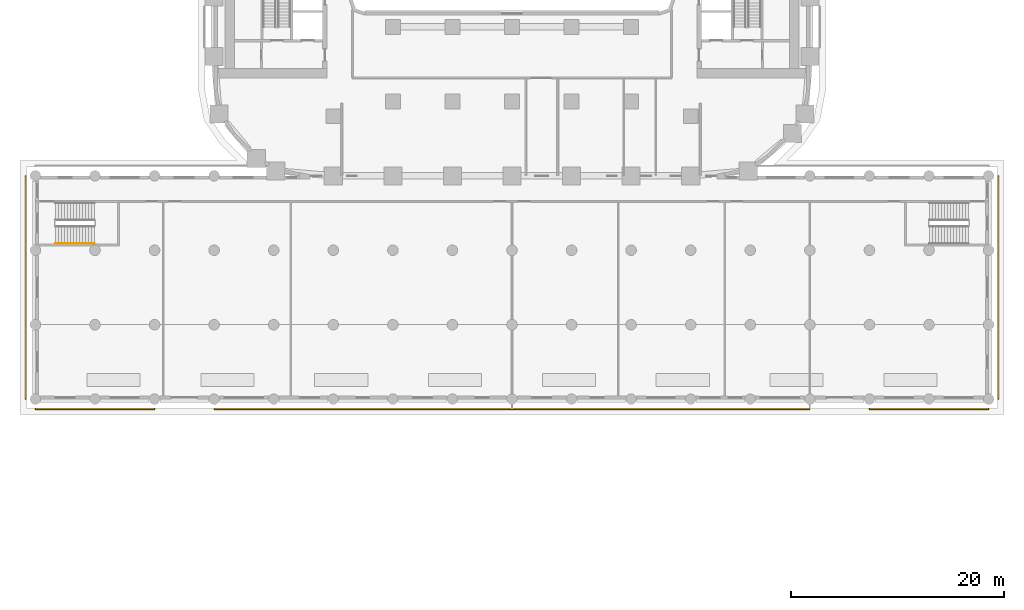
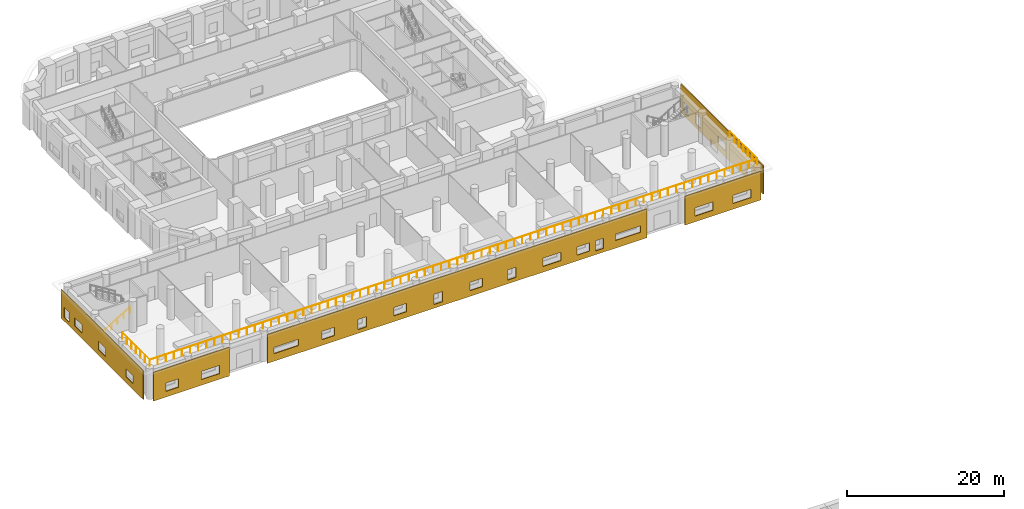
# One storey, part 17 of 23: 5 coverings, 2 railings.
"""IFC4 building model written with IfcOpenShell, lengths in metres."""

from ifc_helpers import new_model, si_unit, direction, frame, origin, origin_2d, place, context, subcontext, project, spatial, polyline, circle, outline, extrude, material, layer, layer_set, type_object, element, save


model = new_model("IFC4")

# Units and contexts
model_context = context("Model", 3, precision=1e-05, world=origin(), true_north=direction((0.0, 1.0)))
body_context = subcontext(model_context, "Body", "Model", "MODEL_VIEW")
ifc_project = project(units=[si_unit("LENGTHUNIT", "METRE"), si_unit("AREAUNIT", "SQUARE_METRE"), si_unit("VOLUMEUNIT", "CUBIC_METRE"), si_unit("PLANEANGLEUNIT", "RADIAN"), si_unit("MASSUNIT", "GRAM", prefix="KILO")], contexts=[model_context])

# Site, building, storey
site_placement = place(None, origin())
site = spatial("IfcSite", under=ifc_project, at=site_placement, CompositionType="ELEMENT")
building_placement = place(site_placement, origin())
building = spatial("IfcBuilding", under=site, at=building_placement, Name="Kiln Ring Residences", CompositionType="ELEMENT")
storey_placement = place(building_placement, frame((0.0, 0.0, 16.10009765625)))
storey = spatial("IfcBuildingStorey", under=building, at=storey_placement, Name="L03", CompositionType="ELEMENT", Elevation=16.10009765625)

# Railing
ifc_material_1 = material(Name="Stainless steel", Category="steel")
railing_type_1 = type_object("IfcRailingType", Name="PODIUM-STAIR-HANDRAIL", PredefinedType="HANDRAIL", material=ifc_material_1)
railing_1_placement = place(storey_placement, frame((-42.89990234375, -28.75, 0.17138671875)))
element("IfcRailing", 1, at=railing_1_placement, inside=storey, type_object=railing_type_1, Name="L03 PS-W stair handrail 1", PredefinedType="HANDRAIL", context=body_context, shape_type="SweptSolid", body=[
    extrude(circle(Radius=0.02392578125, at=origin_2d()), frame((0.0, 0.0, 0.8759765625), z_axis=(0.852850264322, 0.0, 0.5221555579), x_axis=(0.0, 1.0, 0.0)), (0.0, 0.0, 1.0), 4.267822265625),
    extrude(circle(Radius=0.02099609375, at=origin_2d()), origin(), (0.0, 0.0, 1.0), 0.851806640625),
    extrude(circle(Radius=0.02099609375, at=origin_2d()), frame((0.909912109375, 0.0, 0.55712890625)), (0.0, 0.0, 1.0), 0.851806640625),
    extrude(circle(Radius=0.02099609375, at=origin_2d()), frame((1.81982421875, 0.0, 1.1142578125)), (0.0, 0.0, 1.0), 0.851806640625),
    extrude(circle(Radius=0.02099609375, at=origin_2d()), frame((2.72998046875, 0.0, 1.67138671875)), (0.0, 0.0, 1.0), 0.851806640625),
    extrude(circle(Radius=0.02099609375, at=origin_2d()), frame((3.639892578125, 0.0, 2.228515625)), (0.0, 0.0, 1.0), 0.851806640625),
])

# Coverings
ifc_material_2 = material(Name="Brick masonry, dark clay brick", Category="masonry")
ifc_layer = layer(ifc_material_2, 0.1201171875)
ifc_layer_set = layer_set([ifc_layer], Name="RAINSCREEN PANEL 120")
covering_type = type_object("IfcCoveringType", Name="RAINSCREEN PANEL 120", PredefinedType="CLADDING", material=ifc_layer_set)
covering_1_placement = place(storey_placement, frame((45.7099609375, -43.39990234375, 0.0), z_axis=(0.0, 0.0, 1.0), x_axis=(0.0, 1.0, 0.0)))
element("IfcCovering", 2, at=covering_1_placement, inside=storey, type_object=covering_type, Name="RAINSCREEN L03", PredefinedType="CLADDING", context=body_context, shape_type="SweptSolid", body=[
    extrude(outline(polyline([(0.0, 0.0), (21.0, 0.0), (21.0, 4.5), (0.0, 4.5), (0.0, 0.0)]), holes=[polyline([(4.1201171875, 0.579833984375), (4.1201171875, 2.169921875), (2.8798828125, 2.169921875), (2.8798828125, 0.579833984375), (4.1201171875, 0.579833984375)]), polyline([(17.169921875, 0.579833984375), (17.169921875, 2.169921875), (15.929931640625, 2.169921875), (15.929931640625, 0.579833984375), (17.169921875, 0.579833984375)]), polyline([(20.20751953125, 0.579833984375), (20.20751953125, 2.169921875), (18.967529296875, 2.169921875), (18.967529296875, 0.579833984375), (20.20751953125, 0.579833984375)]), polyline([(11.419921875, 0.8798828125), (11.419921875, 2.169921875), (9.580078125, 2.169921875), (9.580078125, 0.8798828125), (11.419921875, 0.8798828125)])]), frame((0.0, 0.06005859375, 0.0), z_axis=(0.0, -1.0, 0.0), x_axis=(1.0, 0.0, 0.0)), (0.0, 0.0, 1.0), 0.1201171875),
])
covering_2_placement = place(storey_placement, frame((-45.7099609375, -22.39990234375, 0.0), z_axis=(0.0, 0.0, 1.0), x_axis=(0.0, -1.0, 0.0)))
element("IfcCovering", 3, at=covering_2_placement, inside=storey, type_object=covering_type, Name="RAINSCREEN L03", PredefinedType="CLADDING", context=body_context, shape_type="SweptSolid", body=[
    extrude(outline(polyline([(0.0, 0.0), (21.0, 0.0), (21.0, 4.5), (0.0, 4.5), (0.0, 0.0)]), holes=[polyline([(2.032470703125, 0.579833984375), (2.032470703125, 2.169921875), (0.79248046875, 2.169921875), (0.79248046875, 0.579833984375), (2.032470703125, 0.579833984375)]), polyline([(5.3701171875, 0.8798828125), (5.3701171875, 2.169921875), (3.530029296875, 2.169921875), (3.530029296875, 0.8798828125), (5.3701171875, 0.8798828125)]), polyline([(11.419921875, 0.8798828125), (11.419921875, 2.169921875), (9.580078125, 2.169921875), (9.580078125, 0.8798828125), (11.419921875, 0.8798828125)]), polyline([(18.419921875, 0.8798828125), (18.419921875, 2.169921875), (16.580078125, 2.169921875), (16.580078125, 0.8798828125), (18.419921875, 0.8798828125)])]), frame((0.0, 0.06005859375, 0.0), z_axis=(0.0, -1.0, 0.0), x_axis=(1.0, 0.0, 0.0)), (0.0, 0.0, 1.0), 0.1201171875),
])
covering_3_placement = place(storey_placement, frame((-44.800048828125, -44.31005859375, 0.0), z_axis=(0.0, 0.0, 1.0), x_axis=(1.0, 0.0, 0.0)))
element("IfcCovering", 4, at=covering_3_placement, inside=storey, type_object=covering_type, Name="RAINSCREEN L03", PredefinedType="CLADDING", context=body_context, shape_type="SweptSolid", body=[
    extrude(outline(polyline([(0.0, 0.0), (11.199951171875, 0.0), (11.199951171875, 4.5), (0.0, 4.5), (0.0, 0.0)]), holes=[polyline([(3.719970703125, 2.169921875), (1.8798828125, 2.169921875), (1.8798828125, 0.8798828125), (3.719970703125, 0.8798828125), (3.719970703125, 2.169921875)]), polyline([(9.719970703125, 2.169921875), (7.080078125, 2.169921875), (7.080078125, 0.8798828125), (9.719970703125, 0.8798828125), (9.719970703125, 2.169921875)])]), frame((0.0, 0.06005859375, 0.0), z_axis=(0.0, -1.0, 0.0), x_axis=(1.0, 0.0, 0.0)), (0.0, 0.0, 1.0), 0.1201171875),
])
covering_4_placement = place(storey_placement, frame((-28.0, -44.31005859375, 0.0), z_axis=(0.0, 0.0, 1.0), x_axis=(1.0, 0.0, 0.0)))
element("IfcCovering", 5, at=covering_4_placement, inside=storey, type_object=covering_type, Name="RAINSCREEN L03", PredefinedType="CLADDING", context=body_context, shape_type="SweptSolid", body=[
    extrude(outline(polyline([(0.0, 0.0), (56.0, 0.0), (56.0, 4.5), (0.0, 4.5), (0.0, 0.0)]), holes=[polyline([(13.3798828125, 0.579833984375), (14.6201171875, 0.579833984375), (14.6201171875, 2.169921875), (13.3798828125, 2.169921875), (13.3798828125, 0.579833984375)]), polyline([(24.580078125, 0.579833984375), (25.820068359375, 0.579833984375), (25.820068359375, 2.169921875), (24.580078125, 2.169921875), (24.580078125, 0.579833984375)]), polyline([(8.0673828125, 0.8798828125), (9.907470703125, 0.8798828125), (9.907470703125, 2.169921875), (8.0673828125, 2.169921875), (8.0673828125, 0.8798828125)]), polyline([(18.679931640625, 2.169921875), (18.679931640625, 0.8798828125), (20.52001953125, 0.8798828125), (20.52001953125, 2.169921875), (18.679931640625, 2.169921875)]), polyline([(29.8798828125, 2.169921875), (29.8798828125, 0.8798828125), (31.719970703125, 0.8798828125), (31.719970703125, 2.169921875), (29.8798828125, 2.169921875)]), polyline([(0.97998046875, 1.179931640625), (4.6201171875, 1.179931640625), (4.6201171875, 2.169921875), (0.97998046875, 2.169921875), (0.97998046875, 1.179931640625)]), polyline([(35.392578125, 2.169921875), (35.392578125, 0.579833984375), (36.632568359375, 0.579833984375), (36.632568359375, 2.169921875), (35.392578125, 2.169921875)]), polyline([(48.364990234375, 2.169921875), (48.364990234375, 0.579833984375), (49.60498046875, 0.579833984375), (49.60498046875, 2.169921875), (48.364990234375, 2.169921875)]), polyline([(40.679931640625, 0.8798828125), (43.320068359375, 0.8798828125), (43.320068359375, 2.169921875), (40.679931640625, 2.169921875), (40.679931640625, 0.8798828125)]), polyline([(45.68994140625, 2.169921875), (45.68994140625, 0.8798828125), (47.530029296875, 0.8798828125), (47.530029296875, 2.169921875), (45.68994140625, 2.169921875)]), polyline([(51.3798828125, 2.169921875), (51.3798828125, 1.179931640625), (55.02001953125, 1.179931640625), (55.02001953125, 2.169921875), (51.3798828125, 2.169921875)])]), frame((0.0, 0.06005859375, 0.0), z_axis=(0.0, -1.0, 0.0), x_axis=(1.0, 0.0, 0.0)), (0.0, 0.0, 1.0), 0.1201171875),
])
covering_5_placement = place(storey_placement, frame((33.60009765625, -44.31005859375, 0.0), z_axis=(0.0, 0.0, 1.0), x_axis=(1.0, 0.0, 0.0)))
element("IfcCovering", 6, at=covering_5_placement, inside=storey, type_object=covering_type, Name="RAINSCREEN L03", PredefinedType="CLADDING", context=body_context, shape_type="SweptSolid", body=[
    extrude(outline(polyline([(0.0, 0.0), (11.199951171875, 0.0), (11.199951171875, 4.5), (0.0, 4.5), (0.0, 0.0)]), holes=[polyline([(4.1201171875, 2.169921875), (1.47998046875, 2.169921875), (1.47998046875, 0.8798828125), (4.1201171875, 0.8798828125), (4.1201171875, 2.169921875)]), polyline([(9.719970703125, 2.169921875), (7.080078125, 2.169921875), (7.080078125, 0.8798828125), (9.719970703125, 0.8798828125), (9.719970703125, 2.169921875)])]), frame((0.0, 0.06005859375, 0.0), z_axis=(0.0, -1.0, 0.0), x_axis=(1.0, 0.0, 0.0)), (0.0, 0.0, 1.0), 0.1201171875),
])

# Railing
ifc_material_3 = material(Name="Black powder-coated steel", Category="steel")
railing_type_2 = type_object("IfcRailingType", Name="TERRACE GUARD 1100", PredefinedType="GUARDRAIL", material=ifc_material_3)
railing_2_placement = place(storey_placement, frame((-44.800048828125, -36.39990234375, 4.7998046875)))
element("IfcRailing", 7, at=railing_2_placement, inside=storey, type_object=railing_type_2, Name="GUARD terrace L03", PredefinedType="GUARDRAIL", context=body_context, shape_type="SweptSolid", body=[
    extrude(circle(Radius=0.02392578125, at=origin_2d()), frame((0.0, 0.0, 1.076171875), z_axis=(0.0, -1.0, 0.0), x_axis=(1.0, 0.0, 0.0)), (0.0, 0.0, 1.0), 7.0),
    extrude(circle(Radius=0.02392578125, at=origin_2d()), frame((0.0, -7.0, 1.076171875), z_axis=(1.0, 0.0, 0.0), x_axis=(0.0, 1.0, 0.0)), (0.0, 0.0, 1.0), 89.60009765625),
    extrude(circle(Radius=0.02392578125, at=origin_2d()), frame((89.60009765625, -7.0, 1.076171875), z_axis=(0.0, 1.0, 0.0), x_axis=(-1.0, 0.0, 0.0)), (0.0, 0.0, 1.0), 7.0),
    extrude(circle(Radius=0.02099609375, at=origin_2d()), origin(), (0.0, 0.0, 1.0), 1.052001953125),
    extrude(circle(Radius=0.02099609375, at=origin_2d()), frame((0.0, -1.166748046875, 0.0)), (0.0, 0.0, 1.0), 1.052001953125),
    extrude(circle(Radius=0.02099609375, at=origin_2d()), frame((0.0, -2.333251953125, 0.0)), (0.0, 0.0, 1.0), 1.052001953125),
    extrude(circle(Radius=0.02099609375, at=origin_2d()), frame((0.0, -3.5, 0.0)), (0.0, 0.0, 1.0), 1.052001953125),
    extrude(circle(Radius=0.02099609375, at=origin_2d()), frame((0.0, -4.666748046875, 0.0)), (0.0, 0.0, 1.0), 1.052001953125),
    extrude(circle(Radius=0.02099609375, at=origin_2d()), frame((0.0, -5.833251953125, 0.0)), (0.0, 0.0, 1.0), 1.052001953125),
    extrude(circle(Radius=0.02099609375, at=origin_2d()), frame((0.0, -7.0, 0.0)), (0.0, 0.0, 1.0), 1.052001953125),
    extrude(circle(Radius=0.02099609375, at=origin_2d()), frame((1.194580078125, -7.0, 0.0)), (0.0, 0.0, 1.0), 1.052001953125),
    extrude(circle(Radius=0.02099609375, at=origin_2d()), frame((2.389404296875, -7.0, 0.0)), (0.0, 0.0, 1.0), 1.052001953125),
    extrude(circle(Radius=0.02099609375, at=origin_2d()), frame((3.583984375, -7.0, 0.0)), (0.0, 0.0, 1.0), 1.052001953125),
    extrude(circle(Radius=0.02099609375, at=origin_2d()), frame((4.778564453125, -7.0, 0.0)), (0.0, 0.0, 1.0), 1.052001953125),
    extrude(circle(Radius=0.02099609375, at=origin_2d()), frame((5.973388671875, -7.0, 0.0)), (0.0, 0.0, 1.0), 1.052001953125),
    extrude(circle(Radius=0.02099609375, at=origin_2d()), frame((7.16796875, -7.0, 0.0)), (0.0, 0.0, 1.0), 1.052001953125),
    extrude(circle(Radius=0.02099609375, at=origin_2d()), frame((8.36279296875, -7.0, 0.0)), (0.0, 0.0, 1.0), 1.052001953125),
    extrude(circle(Radius=0.02099609375, at=origin_2d()), frame((9.557373046875, -7.0, 0.0)), (0.0, 0.0, 1.0), 1.052001953125),
    extrude(circle(Radius=0.02099609375, at=origin_2d()), frame((10.751953125, -7.0, 0.0)), (0.0, 0.0, 1.0), 1.052001953125),
    extrude(circle(Radius=0.02099609375, at=origin_2d()), frame((11.94677734375, -7.0, 0.0)), (0.0, 0.0, 1.0), 1.052001953125),
    extrude(circle(Radius=0.02099609375, at=origin_2d()), frame((13.141357421875, -7.0, 0.0)), (0.0, 0.0, 1.0), 1.052001953125),
    extrude(circle(Radius=0.02099609375, at=origin_2d()), frame((14.3359375, -7.0, 0.0)), (0.0, 0.0, 1.0), 1.052001953125),
    extrude(circle(Radius=0.02099609375, at=origin_2d()), frame((15.53076171875, -7.0, 0.0)), (0.0, 0.0, 1.0), 1.052001953125),
    extrude(circle(Radius=0.02099609375, at=origin_2d()), frame((16.725341796875, -7.0, 0.0)), (0.0, 0.0, 1.0), 1.052001953125),
    extrude(circle(Radius=0.02099609375, at=origin_2d()), frame((17.919921875, -7.0, 0.0)), (0.0, 0.0, 1.0), 1.052001953125),
    extrude(circle(Radius=0.02099609375, at=origin_2d()), frame((19.11474609375, -7.0, 0.0)), (0.0, 0.0, 1.0), 1.052001953125),
    extrude(circle(Radius=0.02099609375, at=origin_2d()), frame((20.309326171875, -7.0, 0.0)), (0.0, 0.0, 1.0), 1.052001953125),
    extrude(circle(Radius=0.02099609375, at=origin_2d()), frame((21.50390625, -7.0, 0.0)), (0.0, 0.0, 1.0), 1.052001953125),
    extrude(circle(Radius=0.02099609375, at=origin_2d()), frame((22.69873046875, -7.0, 0.0)), (0.0, 0.0, 1.0), 1.052001953125),
    extrude(circle(Radius=0.02099609375, at=origin_2d()), frame((23.893310546875, -7.0, 0.0)), (0.0, 0.0, 1.0), 1.052001953125),
    extrude(circle(Radius=0.02099609375, at=origin_2d()), frame((25.088134765625, -7.0, 0.0)), (0.0, 0.0, 1.0), 1.052001953125),
    extrude(circle(Radius=0.02099609375, at=origin_2d()), frame((26.28271484375, -7.0, 0.0)), (0.0, 0.0, 1.0), 1.052001953125),
    extrude(circle(Radius=0.02099609375, at=origin_2d()), frame((27.477294921875, -7.0, 0.0)), (0.0, 0.0, 1.0), 1.052001953125),
    extrude(circle(Radius=0.02099609375, at=origin_2d()), frame((28.672119140625, -7.0, 0.0)), (0.0, 0.0, 1.0), 1.052001953125),
    extrude(circle(Radius=0.02099609375, at=origin_2d()), frame((29.86669921875, -7.0, 0.0)), (0.0, 0.0, 1.0), 1.052001953125),
    extrude(circle(Radius=0.02099609375, at=origin_2d()), frame((31.061279296875, -7.0, 0.0)), (0.0, 0.0, 1.0), 1.052001953125),
    extrude(circle(Radius=0.02099609375, at=origin_2d()), frame((32.256103515625, -7.0, 0.0)), (0.0, 0.0, 1.0), 1.052001953125),
    extrude(circle(Radius=0.02099609375, at=origin_2d()), frame((33.45068359375, -7.0, 0.0)), (0.0, 0.0, 1.0), 1.052001953125),
    extrude(circle(Radius=0.02099609375, at=origin_2d()), frame((34.645263671875, -7.0, 0.0)), (0.0, 0.0, 1.0), 1.052001953125),
    extrude(circle(Radius=0.02099609375, at=origin_2d()), frame((35.840087890625, -7.0, 0.0)), (0.0, 0.0, 1.0), 1.052001953125),
    extrude(circle(Radius=0.02099609375, at=origin_2d()), frame((37.03466796875, -7.0, 0.0)), (0.0, 0.0, 1.0), 1.052001953125),
    extrude(circle(Radius=0.02099609375, at=origin_2d()), frame((38.2294921875, -7.0, 0.0)), (0.0, 0.0, 1.0), 1.052001953125),
    extrude(circle(Radius=0.02099609375, at=origin_2d()), frame((39.424072265625, -7.0, 0.0)), (0.0, 0.0, 1.0), 1.052001953125),
    extrude(circle(Radius=0.02099609375, at=origin_2d()), frame((40.61865234375, -7.0, 0.0)), (0.0, 0.0, 1.0), 1.052001953125),
    extrude(circle(Radius=0.02099609375, at=origin_2d()), frame((41.8134765625, -7.0, 0.0)), (0.0, 0.0, 1.0), 1.052001953125),
    extrude(circle(Radius=0.02099609375, at=origin_2d()), frame((43.008056640625, -7.0, 0.0)), (0.0, 0.0, 1.0), 1.052001953125),
    extrude(circle(Radius=0.02099609375, at=origin_2d()), frame((44.20263671875, -7.0, 0.0)), (0.0, 0.0, 1.0), 1.052001953125),
    extrude(circle(Radius=0.02099609375, at=origin_2d()), frame((45.3974609375, -7.0, 0.0)), (0.0, 0.0, 1.0), 1.052001953125),
    extrude(circle(Radius=0.02099609375, at=origin_2d()), frame((46.592041015625, -7.0, 0.0)), (0.0, 0.0, 1.0), 1.052001953125),
    extrude(circle(Radius=0.02099609375, at=origin_2d()), frame((47.78662109375, -7.0, 0.0)), (0.0, 0.0, 1.0), 1.052001953125),
    extrude(circle(Radius=0.02099609375, at=origin_2d()), frame((48.9814453125, -7.0, 0.0)), (0.0, 0.0, 1.0), 1.052001953125),
    extrude(circle(Radius=0.02099609375, at=origin_2d()), frame((50.176025390625, -7.0, 0.0)), (0.0, 0.0, 1.0), 1.052001953125),
    extrude(circle(Radius=0.02099609375, at=origin_2d()), frame((51.37060546875, -7.0, 0.0)), (0.0, 0.0, 1.0), 1.052001953125),
    extrude(circle(Radius=0.02099609375, at=origin_2d()), frame((52.5654296875, -7.0, 0.0)), (0.0, 0.0, 1.0), 1.052001953125),
    extrude(circle(Radius=0.02099609375, at=origin_2d()), frame((53.760009765625, -7.0, 0.0)), (0.0, 0.0, 1.0), 1.052001953125),
    extrude(circle(Radius=0.02099609375, at=origin_2d()), frame((54.954833984375, -7.0, 0.0)), (0.0, 0.0, 1.0), 1.052001953125),
    extrude(circle(Radius=0.02099609375, at=origin_2d()), frame((56.1494140625, -7.0, 0.0)), (0.0, 0.0, 1.0), 1.052001953125),
    extrude(circle(Radius=0.02099609375, at=origin_2d()), frame((57.343994140625, -7.0, 0.0)), (0.0, 0.0, 1.0), 1.052001953125),
    extrude(circle(Radius=0.02099609375, at=origin_2d()), frame((58.538818359375, -7.0, 0.0)), (0.0, 0.0, 1.0), 1.052001953125),
    extrude(circle(Radius=0.02099609375, at=origin_2d()), frame((59.7333984375, -7.0, 0.0)), (0.0, 0.0, 1.0), 1.052001953125),
    extrude(circle(Radius=0.02099609375, at=origin_2d()), frame((60.927978515625, -7.0, 0.0)), (0.0, 0.0, 1.0), 1.052001953125),
    extrude(circle(Radius=0.02099609375, at=origin_2d()), frame((62.122802734375, -7.0, 0.0)), (0.0, 0.0, 1.0), 1.052001953125),
    extrude(circle(Radius=0.02099609375, at=origin_2d()), frame((63.3173828125, -7.0, 0.0)), (0.0, 0.0, 1.0), 1.052001953125),
    extrude(circle(Radius=0.02099609375, at=origin_2d()), frame((64.511962890625, -7.0, 0.0)), (0.0, 0.0, 1.0), 1.052001953125),
    extrude(circle(Radius=0.02099609375, at=origin_2d()), frame((65.706787109375, -7.0, 0.0)), (0.0, 0.0, 1.0), 1.052001953125),
    extrude(circle(Radius=0.02099609375, at=origin_2d()), frame((66.9013671875, -7.0, 0.0)), (0.0, 0.0, 1.0), 1.052001953125),
    extrude(circle(Radius=0.02099609375, at=origin_2d()), frame((68.09619140625, -7.0, 0.0)), (0.0, 0.0, 1.0), 1.052001953125),
    extrude(circle(Radius=0.02099609375, at=origin_2d()), frame((69.290771484375, -7.0, 0.0)), (0.0, 0.0, 1.0), 1.052001953125),
    extrude(circle(Radius=0.02099609375, at=origin_2d()), frame((70.4853515625, -7.0, 0.0)), (0.0, 0.0, 1.0), 1.052001953125),
    extrude(circle(Radius=0.02099609375, at=origin_2d()), frame((71.68017578125, -7.0, 0.0)), (0.0, 0.0, 1.0), 1.052001953125),
    extrude(circle(Radius=0.02099609375, at=origin_2d()), frame((72.874755859375, -7.0, 0.0)), (0.0, 0.0, 1.0), 1.052001953125),
    extrude(circle(Radius=0.02099609375, at=origin_2d()), frame((74.0693359375, -7.0, 0.0)), (0.0, 0.0, 1.0), 1.052001953125),
    extrude(circle(Radius=0.02099609375, at=origin_2d()), frame((75.26416015625, -7.0, 0.0)), (0.0, 0.0, 1.0), 1.052001953125),
    extrude(circle(Radius=0.02099609375, at=origin_2d()), frame((76.458740234375, -7.0, 0.0)), (0.0, 0.0, 1.0), 1.052001953125),
    extrude(circle(Radius=0.02099609375, at=origin_2d()), frame((77.6533203125, -7.0, 0.0)), (0.0, 0.0, 1.0), 1.052001953125),
    extrude(circle(Radius=0.02099609375, at=origin_2d()), frame((78.84814453125, -7.0, 0.0)), (0.0, 0.0, 1.0), 1.052001953125),
    extrude(circle(Radius=0.02099609375, at=origin_2d()), frame((80.042724609375, -7.0, 0.0)), (0.0, 0.0, 1.0), 1.052001953125),
    extrude(circle(Radius=0.02099609375, at=origin_2d()), frame((81.2373046875, -7.0, 0.0)), (0.0, 0.0, 1.0), 1.052001953125),
    extrude(circle(Radius=0.02099609375, at=origin_2d()), frame((82.43212890625, -7.0, 0.0)), (0.0, 0.0, 1.0), 1.052001953125),
    extrude(circle(Radius=0.02099609375, at=origin_2d()), frame((83.626708984375, -7.0, 0.0)), (0.0, 0.0, 1.0), 1.052001953125),
    extrude(circle(Radius=0.02099609375, at=origin_2d()), frame((84.821533203125, -7.0, 0.0)), (0.0, 0.0, 1.0), 1.052001953125),
    extrude(circle(Radius=0.02099609375, at=origin_2d()), frame((86.01611328125, -7.0, 0.0)), (0.0, 0.0, 1.0), 1.052001953125),
    extrude(circle(Radius=0.02099609375, at=origin_2d()), frame((87.210693359375, -7.0, 0.0)), (0.0, 0.0, 1.0), 1.052001953125),
    extrude(circle(Radius=0.02099609375, at=origin_2d()), frame((88.405517578125, -7.0, 0.0)), (0.0, 0.0, 1.0), 1.052001953125),
    extrude(circle(Radius=0.02099609375, at=origin_2d()), frame((89.60009765625, -7.0, 0.0)), (0.0, 0.0, 1.0), 1.052001953125),
    extrude(circle(Radius=0.02099609375, at=origin_2d()), frame((89.60009765625, -5.833251953125, 0.0)), (0.0, 0.0, 1.0), 1.052001953125),
    extrude(circle(Radius=0.02099609375, at=origin_2d()), frame((89.60009765625, -4.666748046875, 0.0)), (0.0, 0.0, 1.0), 1.052001953125),
    extrude(circle(Radius=0.02099609375, at=origin_2d()), frame((89.60009765625, -3.5, 0.0)), (0.0, 0.0, 1.0), 1.052001953125),
    extrude(circle(Radius=0.02099609375, at=origin_2d()), frame((89.60009765625, -2.333251953125, 0.0)), (0.0, 0.0, 1.0), 1.052001953125),
    extrude(circle(Radius=0.02099609375, at=origin_2d()), frame((89.60009765625, -1.166748046875, 0.0)), (0.0, 0.0, 1.0), 1.052001953125),
    extrude(circle(Radius=0.02099609375, at=origin_2d()), frame((89.60009765625, 0.0, 0.0)), (0.0, 0.0, 1.0), 1.052001953125),
])

save(model, "model.ifc")
